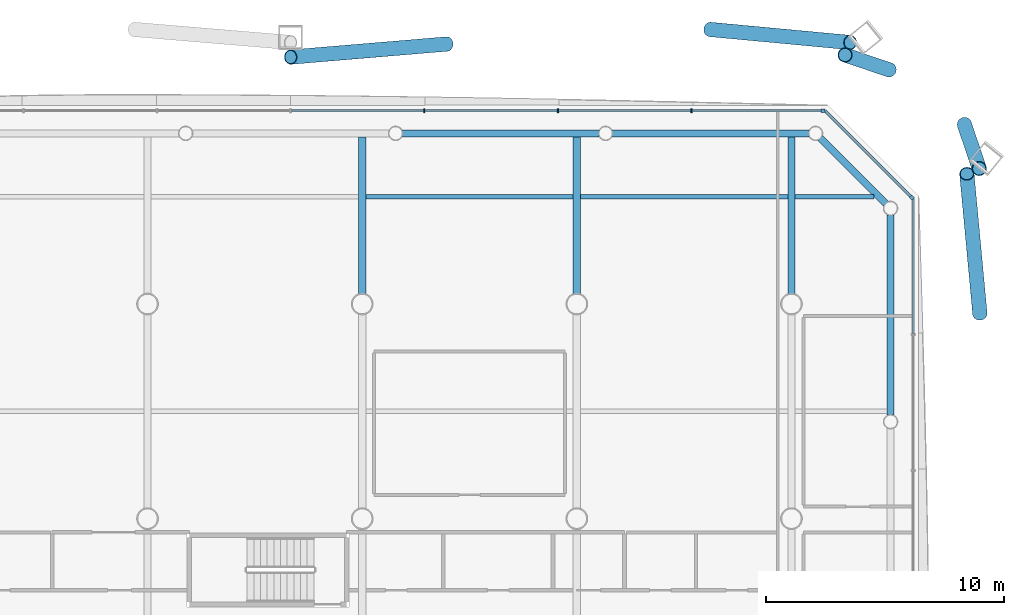
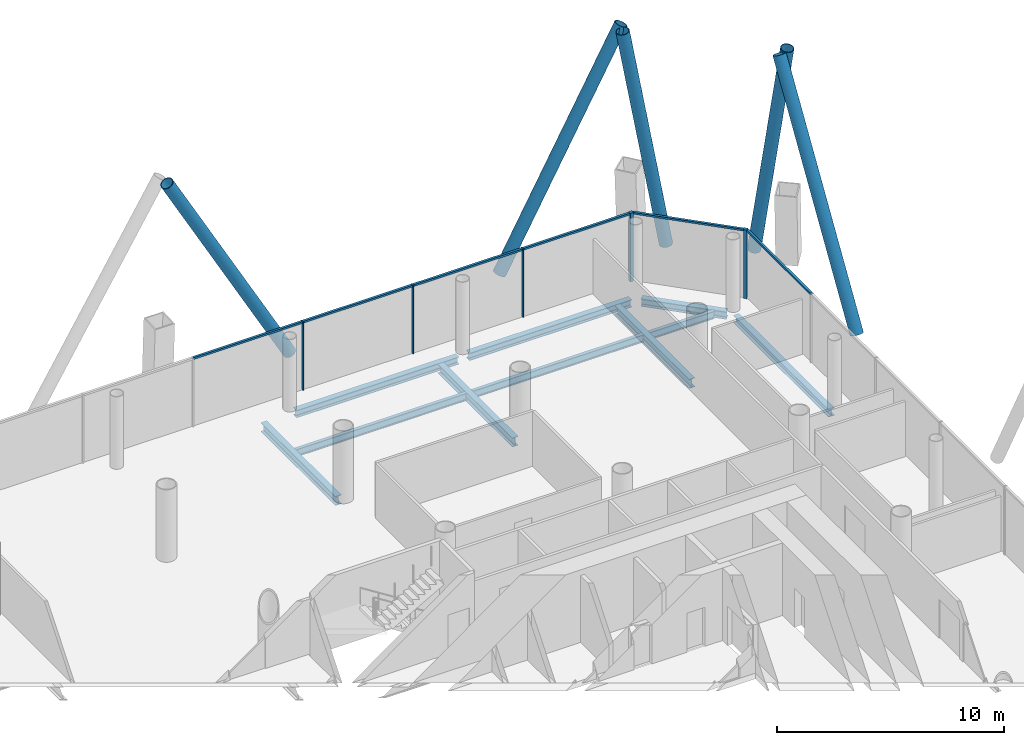
# One storey, part 11 of 21: 16 members, 10 beams, 3 elements without a shape of their own.
"""IFC4 building model written with IfcOpenShell, lengths in metres."""

import ifcopenshell
import ifcopenshell.guid

model = None  # the IFC model being written
_history = None  # IfcOwnerHistory: only IFC2X3 demands one
_inside = {}  # id of a spatial element -> (the spatial element, [elements in it])
_under = {}  # id of a project, library or spatial element -> (it, [spatial elements below it])
_declared = {}  # id of a project -> (the project, [libraries it declares])
_typed = {}  # id of a type object -> (the type object, [elements of that type])
_made_of = {}  # id of a material, layer set ... -> (it, [elements and type objects made of it])


def new_model(schema):
    """Start an empty IFC model of exactly this schema.

    Asked for "IFC4X3", IfcOpenShell would pick the latest addendum, in which some entities
    have other attributes; the version numbers below select the first issue.
    IFC2X3 requires an IfcOwnerHistory on every rooted entity: one is made here for all.
    """
    global model, _history
    if schema == "IFC4X3":
        model = ifcopenshell.file(schema_version=(4, 3, 0, 0))
    else:
        model = ifcopenshell.file(schema=schema)
    _inside.clear()
    _under.clear()
    _declared.clear()
    _typed.clear()
    _made_of.clear()
    _history = None
    if model.schema == "IFC2X3":
        org = make("IfcOrganization", Name="unknown")
        user = make(
            "IfcPersonAndOrganization",
            ThePerson=make("IfcPerson", FamilyName="unknown"),
            TheOrganization=org,
        )
        app = make(
            "IfcApplication",
            ApplicationDeveloper=org,
            Version="unknown",
            ApplicationFullName="unknown",
            ApplicationIdentifier="unknown",
        )
        _history = make(
            "IfcOwnerHistory",
            OwningUser=user,
            OwningApplication=app,
            ChangeAction="ADDED",
            CreationDate=0,
        )
    return model


def make(cls, **values):
    """One entity of the class cls with the attributes given. An attribute that is None is left unset."""
    return model.create_entity(
        cls, **{name: value for name, value in values.items() if value is not None}
    )


def rooted(cls, **values):
    """An entity with a GlobalId (a new one), such as an element, a storey or a relation."""
    return make(cls, GlobalId=ifcopenshell.guid.new(), OwnerHistory=_history, **values)


def si_unit(unit_type, name, prefix=None):
    """IfcSIUnit, for example si_unit("LENGTHUNIT", "METRE", prefix="MILLI")."""
    return make("IfcSIUnit", UnitType=unit_type, Prefix=prefix, Name=name)


def assignment(units):
    """IfcUnitAssignment: the units of a project."""
    return None if units is None else make("IfcUnitAssignment", Units=units)


def point(xyz):
    """IfcCartesianPoint."""
    return None if xyz is None else make("IfcCartesianPoint", Coordinates=xyz)


def direction(xyz):
    """IfcDirection."""
    return None if xyz is None else make("IfcDirection", DirectionRatios=xyz)


def frame(location, z_axis=None, x_axis=None):
    """IfcAxis2Placement3D, a coordinate frame: its origin and axes. An axis left out is left unset."""
    return make(
        "IfcAxis2Placement3D",
        Location=point(location),
        Axis=direction(z_axis),
        RefDirection=direction(x_axis),
    )


def frame_2d(location, x_axis=None):
    """IfcAxis2Placement2D, a coordinate frame in the plane: its origin and x axis."""
    return make(
        "IfcAxis2Placement2D", Location=point(location), RefDirection=direction(x_axis)
    )


def origin():
    """The frame at (0, 0, 0) with its axes left unset."""
    return frame((0.0, 0.0, 0.0))


def origin_2d():
    """The frame at (0, 0) in the plane with its x axis left unset."""
    return frame_2d((0.0, 0.0))


def place(relative_to, where):
    """IfcLocalPlacement: puts the frame where relative to a parent placement (None: the world)."""
    return make(
        "IfcLocalPlacement", PlacementRelTo=relative_to, RelativePlacement=where
    )


def context(
    kind, dimensions, precision=None, world=None, true_north=None, identifier=None
):
    """IfcGeometricRepresentationContext, for example the 3D "Model" context."""
    return make(
        "IfcGeometricRepresentationContext",
        ContextIdentifier=identifier,
        ContextType=kind,
        CoordinateSpaceDimension=dimensions,
        Precision=precision,
        WorldCoordinateSystem=world,
        TrueNorth=true_north,
    )


def subcontext(parent, identifier, kind, view, scale=None):
    """IfcGeometricRepresentationSubContext, for example "Body" below "Model"."""
    return make(
        "IfcGeometricRepresentationSubContext",
        ContextIdentifier=identifier,
        ContextType=kind,
        ParentContext=parent,
        TargetScale=scale,
        TargetView=view,
    )


def project(units=None, contexts=None):
    """IfcProject with its units and contexts."""
    return rooted(
        "IfcProject",
        Name="project",
        RepresentationContexts=contexts,
        UnitsInContext=assignment(units),
    )


def spatial(cls, under=None, at=None, **own):
    """A site, building, storey or space (cls), placed at a placement, below another one or the project."""
    s = rooted(cls, ObjectPlacement=at, **own)
    if under is not None:
        _under.setdefault(under.id(), (under, []))[1].append(s)
    return s


def profile(cls, at=None, kind="AREA", **sizes):
    """A parametric profile (cls). Its sizes go by their IFC names, for example OverallWidth=200.0."""
    return make(cls, ProfileType=kind, Position=at, **sizes)


def rectangle(**sizes):
    """IfcRectangleProfileDef."""
    return profile("IfcRectangleProfileDef", **sizes)


def hollow_circle(**sizes):
    """IfcCircleHollowProfileDef."""
    return profile("IfcCircleHollowProfileDef", **sizes)


def i_section(**sizes):
    """IfcIShapeProfileDef."""
    return profile("IfcIShapeProfileDef", **sizes)


def extrude(swept, where, along, depth):
    """IfcExtrudedAreaSolid: the profile swept, set in the frame where, extruded along a direction by depth."""
    return make(
        "IfcExtrudedAreaSolid",
        SweptArea=swept,
        Position=where,
        ExtrudedDirection=direction(along),
        Depth=depth,
    )


def shape(context_of_items, identifier, shape_type, items):
    """IfcShapeRepresentation: the items that make up one representation, for example the "Body"."""
    return make(
        "IfcShapeRepresentation",
        ContextOfItems=context_of_items,
        RepresentationIdentifier=identifier,
        RepresentationType=shape_type,
        Items=items,
    )


def material(Name=None, Category=None):
    """IfcMaterial."""
    return make("IfcMaterial", Name=Name, Category=Category)


def material_profile(
    of_material, cross_section, Name=None, Category=None, Priority=None
):
    """IfcMaterialProfile: a cross section and its material."""
    return make(
        "IfcMaterialProfile",
        Name=Name,
        Material=of_material,
        Profile=cross_section,
        Priority=Priority,
        Category=Category,
    )


def profile_set(profiles, Name=None, composite=None):
    """IfcMaterialProfileSet."""
    return make(
        "IfcMaterialProfileSet",
        Name=Name,
        MaterialProfiles=profiles,
        CompositeProfile=composite,
    )


def made_of(thing, what):
    """Note that an element or type object is made of a material, layer set ...; save() writes the relation."""
    if what is not None:
        _made_of.setdefault(what.id(), (what, []))[1].append(thing)
    return thing


def type_object(cls, material=None, **own):
    """A type object (cls), such as IfcWallType, which elements share."""
    return made_of(rooted(cls, **own), material)


def element(
    cls,
    number,
    at=None,
    inside=None,
    cuts=None,
    type_object=None,
    material=None,
    context=None,
    identifier="Body",
    shape_type=None,
    held_by="IfcProductDefinitionShape",
    body=None,
    shapes=None,
    **own,
):
    """One element of the class cls, such as IfcWall. Its Tag is "e" and its number.

    at: its placement. inside: the storey or other place that contains it. cuts: it is an
    opening in that element (IfcRelVoidsElement). A single representation is given by context,
    identifier, shape_type and body (its items); several are given by shapes. held_by: the class
    of the entity that holds the representations. save() writes the other relations.
    """
    e = rooted(cls, Tag="e%d" % number, ObjectPlacement=at, **own)
    if body is not None:
        shapes = [shape(context, identifier, shape_type, body)]
    if shapes is not None:
        e.Representation = make(held_by, Representations=shapes)
    if inside is not None:
        _inside.setdefault(inside.id(), (inside, []))[1].append(e)
    if cuts is not None:
        rooted(
            "IfcRelVoidsElement", RelatingBuildingElement=cuts, RelatedOpeningElement=e
        )
    if type_object is not None:
        _typed.setdefault(type_object.id(), (type_object, []))[1].append(e)
    return made_of(e, material)


def aggregate(whole, parts):
    """IfcRelAggregates: a whole, such as a stair, and the parts it consists of."""
    return rooted("IfcRelAggregates", RelatingObject=whole, RelatedObjects=parts)


def save(model, path):
    """Write the relations noted so far, then the file.

    IfcRelAggregates (storeys below a building ...), IfcRelContainedInSpatialStructure (elements
    in a storey), IfcRelDefinesByType, IfcRelAssociatesMaterial and IfcRelDeclares: one each for
    every whole, place, type object, material and project.
    """
    for whole, parts in _under.values():
        aggregate(whole, parts)
    for where, things in _inside.values():
        rooted(
            "IfcRelContainedInSpatialStructure",
            RelatedElements=things,
            RelatingStructure=where,
        )
    for kind, things in _typed.values():
        rooted("IfcRelDefinesByType", RelatedObjects=things, RelatingType=kind)
    for what, things in _made_of.values():
        rooted("IfcRelAssociatesMaterial", RelatedObjects=things, RelatingMaterial=what)
    for by, libraries in _declared.values():
        rooted("IfcRelDeclares", RelatingContext=by, RelatedDefinitions=libraries)
    model.write(path)


model = new_model("IFC4")

# Units and contexts
model_context = context("Model", 3, precision=1e-05, world=origin(), true_north=direction((0.0, 1.0)))
body_context = subcontext(model_context, "Body", "Model", "MODEL_VIEW")
ifc_project = project(units=[si_unit("LENGTHUNIT", "METRE"), si_unit("AREAUNIT", "SQUARE_METRE"), si_unit("VOLUMEUNIT", "CUBIC_METRE"), si_unit("PLANEANGLEUNIT", "RADIAN"), si_unit("MASSUNIT", "GRAM", prefix="KILO")], contexts=[model_context])

# Site, building, storey
site_placement = place(None, origin())
site = spatial("IfcSite", under=ifc_project, at=site_placement, CompositionType="ELEMENT")
building_placement = place(site_placement, origin())
building = spatial("IfcBuilding", under=site, at=building_placement, Name="Tskaro Facet Tower", CompositionType="ELEMENT")
storey_placement = place(building_placement, frame((0.0, 0.0, 45.89990234375)))
storey = spatial("IfcBuildingStorey", under=building, at=storey_placement, Name="L10", CompositionType="ELEMENT", Elevation=45.89990234375)

# Members
ifc_material_1 = material(Name="Steel S355J2H", Category="steel")
ifc_material_profile_1 = material_profile(ifc_material_1, hollow_circle(Radius=0.304931640625, WallThickness=0.030029296875, at=origin_2d()), Name="CHS 610x30")
ifc_profile_set_1 = profile_set([ifc_material_profile_1], Name="Steel S355J2H")
member_type_1 = type_object("IfcMemberType", Name="CHS 610x30 brace", PredefinedType="BRACE", material=ifc_profile_set_1)
member_1_placement = place(storey_placement, frame((25.90185546875, 17.59716796875, 0.0), z_axis=(-0.041821776194, 0.447776290032, 0.893167024202), x_axis=(-0.995666660774, -0.092994089186, 0.0)))
element("IfcMember", 1, at=member_1_placement, inside=storey, type_object=member_type_1, Name="CHS 610x30 XB05A/1", PredefinedType="BRACE", context=body_context, shape_type="SweptSolid", body=[
    extrude(hollow_circle(Radius=0.304931640625, WallThickness=0.030029296875, at=origin_2d()), origin(), (0.0, 0.0, 1.0), 13.099609375),
])
for number, where, z_axis, x_axis, name in (
    (2, (22.093994140625, 27.82373046875, 0.0), (-0.155690426373, 0.052239860145, 0.986423584546), (-0.318107211302, -0.948054746371, 0.0), "CHS 610x30 XB06A/1"),
    (3, (25.255126953125, 25.525390625, 0.0), (0.052239860145, -0.155690426373, 0.986423584546), (0.948054746371, 0.318107211302, 0.0), "CHS 610x30 XB06B/1"),
):
    element("IfcMember", number, at=place(storey_placement, frame(where, z_axis=z_axis, x_axis=x_axis)), inside=storey, type_object=member_type_1, Name=name, PredefinedType="BRACE", context=body_context, shape_type="SweptSolid", body=[
        extrude(hollow_circle(Radius=0.304931640625, WallThickness=0.030029296875, at=origin_2d()), origin(), (0.0, 0.0, 1.0), 11.861328125),
    ])
member_2_placement = place(storey_placement, frame((3.545166015625, 28.90185546875, 0.0), z_axis=(-0.487801925291, -0.040830598693, 0.871998935718), x_axis=(0.083411543722, -0.99651518522, 0.0)))
element("IfcMember", 4, at=member_2_placement, inside=storey, type_object=member_type_1, Name="CHS 610x30 XB07A/1", PredefinedType="BRACE", context=body_context, shape_type="SweptSolid", body=[
    extrude(hollow_circle(Radius=0.304931640625, WallThickness=0.030029296875, at=origin_2d()), origin(), (0.0, 0.0, 1.0), 13.417724609375),
])
member_3_placement = place(storey_placement, frame((14.59716796875, 29.51171875, 0.0), z_axis=(0.447776638968, -0.041803171614, 0.893167720217), x_axis=(0.092953006112, 0.995670497029, 0.0)))
element("IfcMember", 5, at=member_3_placement, inside=storey, type_object=member_type_1, Name="CHS 610x30 XB07B/1", PredefinedType="BRACE", context=body_context, shape_type="SweptSolid", body=[
    extrude(hollow_circle(Radius=0.304931640625, WallThickness=0.030029296875, at=origin_2d()), origin(), (0.0, 0.0, 1.0), 13.099609375),
])

# Curtain wall, member
ifc_material_2 = material(Name="Bronze anodised aluminium 6063-T6", Category="aluminium")
curtain_wall_type = type_object("IfcCurtainWallType", Name="Bronze office curtain wall (FW1)", PredefinedType="NOTDEFINED", material=ifc_material_2)
curtain_wall_1_placement = place(storey_placement, origin())
curtain_wall_1 = element("IfcCurtainWall", 6, at=curtain_wall_1_placement, inside=storey, type_object=curtain_wall_type, Name="FW1 north-east facet L10", PredefinedType="NOTDEFINED")
ifc_material_profile_2 = material_profile(ifc_material_2, rectangle(XDim=0.159912109375, YDim=0.159912109375, at=origin_2d()), Name="Corner post 160x160")
ifc_profile_set_2 = profile_set([ifc_material_profile_2], Name="Bronze anodised aluminium 6063-T6")
member_type_2 = type_object("IfcMemberType", Name="FW1 bronze corner post 160x160", PredefinedType="MULLION", material=ifc_profile_set_2)
member_4_placement = place(storey_placement, frame((23.050537109375, 22.461669921875, 0.0), z_axis=(0.0, 0.0, 1.0), x_axis=(-0.707106781187, 0.707106781187, 0.0)))
member_4 = element("IfcMember", 7, at=member_4_placement, type_object=member_type_2, Name="FW1 north-east corner post", PredefinedType="MULLION", context=body_context, shape_type="SweptSolid", body=[
    extrude(rectangle(XDim=0.159912109375, YDim=0.159912109375, at=origin_2d()), origin(), (0.0, 0.0, 1.0), 3.7001953125),
])

# Curtain wall, members
curtain_wall_2_placement = place(storey_placement, origin())
curtain_wall_2 = element("IfcCurtainWall", 8, at=curtain_wall_2_placement, inside=storey, type_object=curtain_wall_type, Name="FW1 north facet L10", PredefinedType="NOTDEFINED")
member_5_placement = place(storey_placement, frame((19.324951171875, 26.10693359375, 0.0), z_axis=(0.0, 0.0, 1.0), x_axis=(-1.0, 0.0, 0.0)))
member_5 = element("IfcMember", 9, at=member_5_placement, type_object=member_type_2, Name="FW1 north corner post", PredefinedType="MULLION", context=body_context, shape_type="SweptSolid", body=[
    extrude(rectangle(XDim=0.159912109375, YDim=0.159912109375, at=origin_2d()), origin(), (0.0, 0.0, 1.0), 3.7001953125),
])
ifc_material_profile_3 = material_profile(ifc_material_2, rectangle(XDim=0.06005859375, YDim=0.159912109375, at=origin_2d()), Name="Mullion 60x160")
ifc_profile_set_3 = profile_set([ifc_material_profile_3], Name="Bronze anodised aluminium 6063-T6")
member_type_3 = type_object("IfcMemberType", Name="FW1 bronze mullion 60x160", PredefinedType="MULLION", material=ifc_profile_set_3)
member_6_placement = place(storey_placement, frame((13.8037109375, 26.10693359375, 0.0), z_axis=(0.0, 0.0, 1.0), x_axis=(-1.0, 0.0, 0.0)))
member_6 = element("IfcMember", 10, at=member_6_placement, type_object=member_type_3, Name="FW1 north mullion 1", PredefinedType="MULLION", context=body_context, shape_type="SweptSolid", body=[
    extrude(rectangle(XDim=0.06005859375, YDim=0.159912109375, at=origin_2d()), origin(), (0.0, 0.0, 1.0), 3.7001953125),
])
member_7_placement = place(storey_placement, frame((8.202392578125, 26.10693359375, 0.0), z_axis=(0.0, 0.0, 1.0), x_axis=(-1.0, 0.0, 0.0)))
member_7 = element("IfcMember", 11, at=member_7_placement, type_object=member_type_3, Name="FW1 north mullion 2", PredefinedType="MULLION", context=body_context, shape_type="SweptSolid", body=[
    extrude(rectangle(XDim=0.06005859375, YDim=0.159912109375, at=origin_2d()), origin(), (0.0, 0.0, 1.0), 3.7001953125),
])
member_8_placement = place(storey_placement, frame((2.601318359375, 26.10693359375, 0.0), z_axis=(0.0, 0.0, 1.0), x_axis=(-1.0, 0.0, 0.0)))
member_8 = element("IfcMember", 12, at=member_8_placement, type_object=member_type_3, Name="FW1 north mullion 3", PredefinedType="MULLION", context=body_context, shape_type="SweptSolid", body=[
    extrude(rectangle(XDim=0.06005859375, YDim=0.159912109375, at=origin_2d()), origin(), (0.0, 0.0, 1.0), 3.7001953125),
])

# Curtain wall, member
curtain_wall_3_placement = place(storey_placement, origin())
curtain_wall_3 = element("IfcCurtainWall", 13, at=curtain_wall_3_placement, inside=storey, type_object=curtain_wall_type, Name="FW1 east facet L10", PredefinedType="NOTDEFINED")
ifc_material_profile_4 = material_profile(ifc_material_2, rectangle(XDim=0.1201171875, YDim=0.10009765625, at=origin_2d()), Name="Transom 120x100")
ifc_profile_set_4 = profile_set([ifc_material_profile_4], Name="Bronze anodised aluminium 6063-T6")
member_type_4 = type_object("IfcMemberType", Name="FW1 bronze transom 120x100", PredefinedType="USERDEFINED", material=ifc_profile_set_4)
member_9_placement = place(storey_placement, frame((23.10693359375, 16.744140625, 3.650146484375), z_axis=(0.0, 1.0, 0.0), x_axis=(-1.0, 0.0, 0.0)))
member_9 = element("IfcMember", 14, at=member_9_placement, type_object=member_type_4, Name="FW1 east transom 8.1", ObjectType="TRANSOM", PredefinedType="USERDEFINED", context=body_context, shape_type="SweptSolid", body=[
    extrude(rectangle(XDim=0.1201171875, YDim=0.10009765625, at=origin_2d()), origin(), (0.0, 0.0, 1.0), 5.660888671875),
])
aggregate(curtain_wall_3, [member_9])

# Member
member_10_placement = place(storey_placement, frame((22.993896484375, 22.51806640625, 3.650146484375), z_axis=(-0.707106781187, 0.707106781187, 0.0), x_axis=(-0.707106781187, -0.707106781187, 0.0)))
member_10 = element("IfcMember", 15, at=member_10_placement, type_object=member_type_4, Name="FW1 north-east transom 1.1", ObjectType="TRANSOM", PredefinedType="USERDEFINED", context=body_context, shape_type="SweptSolid", body=[
    extrude(rectangle(XDim=0.1201171875, YDim=0.10009765625, at=origin_2d()), origin(), (0.0, 0.0, 1.0), 5.075439453125),
])

aggregate(curtain_wall_1, [member_4, member_10])

member_11_placement = place(storey_placement, frame((19.2451171875, 26.10693359375, 3.650146484375), z_axis=(-1.0, 0.0, 0.0), x_axis=(0.0, -1.0, 0.0)))
member_11 = element("IfcMember", 16, at=member_11_placement, type_object=member_type_4, Name="FW1 north transom 1.1", ObjectType="TRANSOM", PredefinedType="USERDEFINED", context=body_context, shape_type="SweptSolid", body=[
    extrude(rectangle(XDim=0.1201171875, YDim=0.10009765625, at=origin_2d()), origin(), (0.0, 0.0, 1.0), 5.411376953125),
])

member_12_placement = place(storey_placement, frame((13.773681640625, 26.10693359375, 3.650146484375), z_axis=(-1.0, 0.0, 0.0), x_axis=(0.0, -1.0, 0.0)))
member_12 = element("IfcMember", 17, at=member_12_placement, type_object=member_type_4, Name="FW1 north transom 2.1", ObjectType="TRANSOM", PredefinedType="USERDEFINED", context=body_context, shape_type="SweptSolid", body=[
    extrude(rectangle(XDim=0.1201171875, YDim=0.10009765625, at=origin_2d()), origin(), (0.0, 0.0, 1.0), 5.541259765625),
])

member_13_placement = place(storey_placement, frame((8.172607421875, 26.10693359375, 3.650146484375), z_axis=(-1.0, 0.0, 0.0), x_axis=(0.0, -1.0, 0.0)))
member_13 = element("IfcMember", 18, at=member_13_placement, type_object=member_type_4, Name="FW1 north transom 3.1", ObjectType="TRANSOM", PredefinedType="USERDEFINED", context=body_context, shape_type="SweptSolid", body=[
    extrude(rectangle(XDim=0.1201171875, YDim=0.10009765625, at=origin_2d()), origin(), (0.0, 0.0, 1.0), 5.541259765625),
])

member_14_placement = place(storey_placement, frame((2.5712890625, 26.10693359375, 3.650146484375), z_axis=(-1.0, 0.0, 0.0), x_axis=(0.0, -1.0, 0.0)))
member_14 = element("IfcMember", 19, at=member_14_placement, type_object=member_type_4, Name="FW1 north transom 4.1", ObjectType="TRANSOM", PredefinedType="USERDEFINED", context=body_context, shape_type="SweptSolid", body=[
    extrude(rectangle(XDim=0.1201171875, YDim=0.10009765625, at=origin_2d()), origin(), (0.0, 0.0, 1.0), 5.541259765625),
])

aggregate(curtain_wall_2, [member_5, member_6, member_7, member_8, member_11, member_12, member_13, member_14])

# Beams
ifc_material_3 = material(Name="Steel S355J2", Category="steel")
ifc_material_profile_5 = material_profile(ifc_material_3, i_section(OverallWidth=0.300048828125, OverallDepth=0.39990234375, WebThickness=0.013427734375, FlangeThickness=0.02392578125, FilletRadius=0.027099609375, at=origin_2d()), Name="HE 400 B")
ifc_profile_set_5 = profile_set([ifc_material_profile_5], Name="Steel S355J2")
beam_type_1 = type_object("IfcBeamType", Name="HE 400 B ring beam", PredefinedType="BEAM", material=ifc_profile_set_5)
beam_1_placement = place(storey_placement, frame((22.156982421875, 13.339111328125, -0.33984375), z_axis=(0.0, 1.0, 0.0), x_axis=(-1.0, 0.0, 0.0)))
element("IfcBeam", 20, at=beam_1_placement, inside=storey, type_object=beam_type_1, Name="HE 400 B EB12-1", PredefinedType="BEAM", context=body_context, shape_type="SweptSolid", body=[
    extrude(i_section(OverallWidth=0.300048828125, OverallDepth=0.39990234375, WebThickness=0.013427734375, FlangeThickness=0.02392578125, FilletRadius=0.027099609375, at=origin_2d()), origin(), (0.0, 0.0, 1.0), 8.39794921875),
])
beam_2_placement = place(storey_placement, frame((21.962646484375, 22.20654296875, -0.33984375), z_axis=(-0.707106781187, 0.707106781187, 0.0), x_axis=(-0.707106781187, -0.707106781187, 0.0)))
element("IfcBeam", 21, at=beam_2_placement, inside=storey, type_object=beam_type_1, Name="HE 400 B EB13-1", PredefinedType="BEAM", context=body_context, shape_type="SweptSolid", body=[
    extrude(i_section(OverallWidth=0.300048828125, OverallDepth=0.39990234375, WebThickness=0.013427734375, FlangeThickness=0.02392578125, FilletRadius=0.027099609375, at=origin_2d()), origin(), (0.0, 0.0, 1.0), 3.897705078125),
])
beam_3_placement = place(storey_placement, frame((18.737060546875, 25.156982421875, -0.33984375), z_axis=(-1.0, 0.0, 0.0), x_axis=(0.0, -1.0, 0.0)))
element("IfcBeam", 22, at=beam_3_placement, inside=storey, type_object=beam_type_1, Name="HE 400 B EB14-1", PredefinedType="BEAM", context=body_context, shape_type="SweptSolid", body=[
    extrude(i_section(OverallWidth=0.300048828125, OverallDepth=0.39990234375, WebThickness=0.013427734375, FlangeThickness=0.02392578125, FilletRadius=0.027099609375, at=origin_2d()), origin(), (0.0, 0.0, 1.0), 8.255126953125),
])
beam_4_placement = place(storey_placement, frame((9.931884765625, 25.156982421875, -0.33984375), z_axis=(-1.0, 0.0, 0.0), x_axis=(0.0, -1.0, 0.0)))
element("IfcBeam", 23, at=beam_4_placement, inside=storey, type_object=beam_type_1, Name="HE 400 B EB15-1", PredefinedType="BEAM", context=body_context, shape_type="SweptSolid", body=[
    extrude(i_section(OverallWidth=0.300048828125, OverallDepth=0.39990234375, WebThickness=0.013427734375, FlangeThickness=0.02392578125, FilletRadius=0.027099609375, at=origin_2d()), origin(), (0.0, 0.0, 1.0), 8.2548828125),
])
ifc_material_profile_6 = material_profile(ifc_material_3, i_section(OverallWidth=0.300048828125, OverallDepth=0.489990234375, WebThickness=0.011962890625, FlangeThickness=0.02294921875, FilletRadius=0.027099609375, at=origin_2d()), Name="HE 500 A")
ifc_profile_set_6 = profile_set([ifc_material_profile_6], Name="Steel S355J2")
beam_type_2 = type_object("IfcBeamType", Name="HE 500 A girder", PredefinedType="BEAM", material=ifc_profile_set_6)
for number, where, z_axis, x_axis, name in (
    (24, (0.0, 18.42724609375, -0.385009765625), (0.0, 1.0, 0.0), (-1.0, 0.0, 0.0), "HE 500 A GB4-5-1"),
    (25, (9.0, 18.42724609375, -0.385009765625), (0.0, 1.0, 0.0), (-1.0, 0.0, 0.0), "HE 500 A GB5-5-1"),
    (26, (18.0, 18.42724609375, -0.385009765625), (0.0, 1.0, 0.0), (-1.0, 0.0, 0.0), "HE 500 A GB6-6-1"),
):
    element("IfcBeam", number, at=place(storey_placement, frame(where, z_axis=z_axis, x_axis=x_axis)), inside=storey, type_object=beam_type_2, Name=name, PredefinedType="BEAM", context=body_context, shape_type="SweptSolid", body=[
        extrude(i_section(OverallWidth=0.300048828125, OverallDepth=0.489990234375, WebThickness=0.011962890625, FlangeThickness=0.02294921875, FilletRadius=0.027099609375, at=origin_2d()), origin(), (0.0, 0.0, 1.0), 6.579833984375),
    ])
ifc_material_profile_7 = material_profile(ifc_material_3, i_section(OverallWidth=0.179931640625, OverallDepth=0.39990234375, WebThickness=0.008544921875, FlangeThickness=0.013427734375, FilletRadius=0.02099609375, at=origin_2d()), Name="IPE 400")
ifc_profile_set_7 = profile_set([ifc_material_profile_7], Name="Steel S355J2")
beam_type_3 = type_object("IfcBeamType", Name="IPE 400 secondary beam", PredefinedType="BEAM", material=ifc_profile_set_7)
for number, where, z_axis, x_axis, name in (
    (27, (0.14990234375, 22.5, -0.33984375), (1.0, 0.0, 0.0), (0.0, 1.0, 0.0), "IPE 400 SB6a-4-1"),
    (28, (9.14990234375, 22.5, -0.33984375), (1.0, 0.0, 0.0), (0.0, 1.0, 0.0), "IPE 400 SB6a-5-1"),
):
    element("IfcBeam", number, at=place(storey_placement, frame(where, z_axis=z_axis, x_axis=x_axis)), inside=storey, type_object=beam_type_3, Name=name, PredefinedType="BEAM", context=body_context, shape_type="SweptSolid", body=[
        extrude(i_section(OverallWidth=0.179931640625, OverallDepth=0.39990234375, WebThickness=0.008544921875, FlangeThickness=0.013427734375, FilletRadius=0.02099609375, at=origin_2d()), origin(), (0.0, 0.0, 1.0), 8.7001953125),
    ])
beam_5_placement = place(storey_placement, frame((18.14990234375, 22.5, -0.33984375), z_axis=(1.0, 0.0, 0.0), x_axis=(0.0, 1.0, 0.0)))
element("IfcBeam", 29, at=beam_5_placement, inside=storey, type_object=beam_type_3, Name="IPE 400 SB6a-6-1", PredefinedType="BEAM", context=body_context, shape_type="SweptSolid", body=[
    extrude(i_section(OverallWidth=0.179931640625, OverallDepth=0.39990234375, WebThickness=0.008544921875, FlangeThickness=0.013427734375, FilletRadius=0.02099609375, at=origin_2d()), origin(), (0.0, 0.0, 1.0), 3.30712890625),
])

save(model, "model.ifc")
